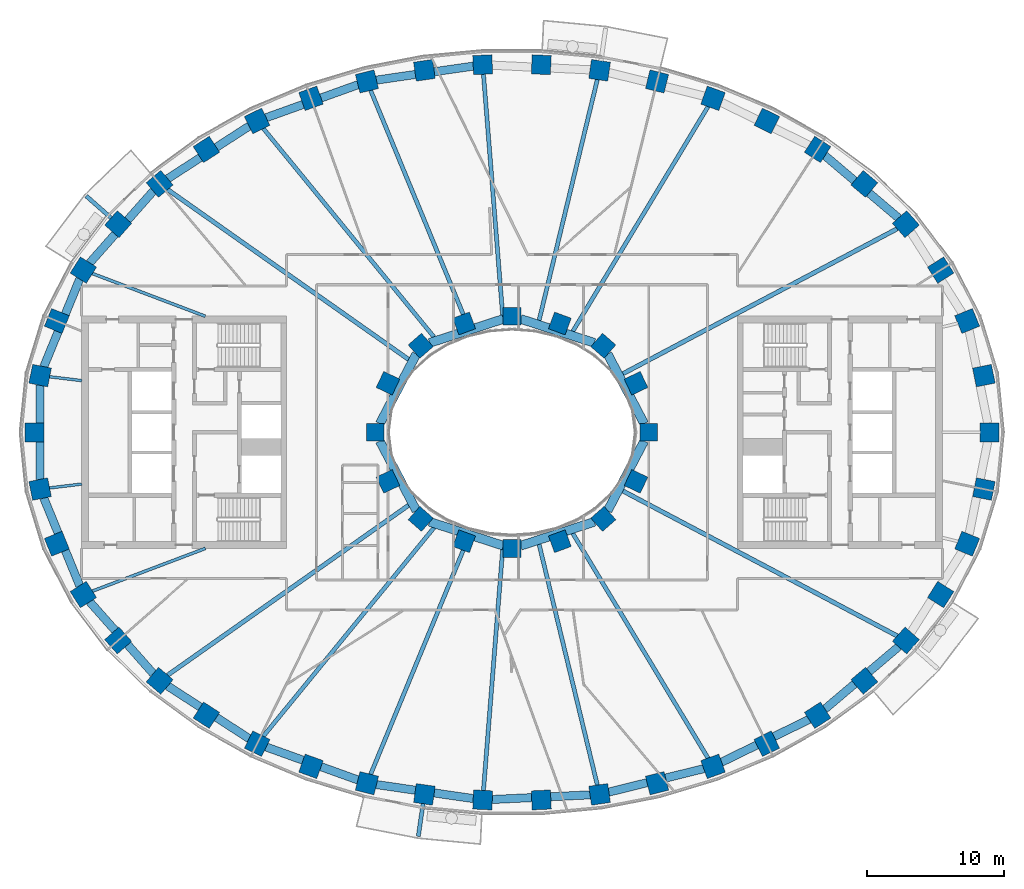
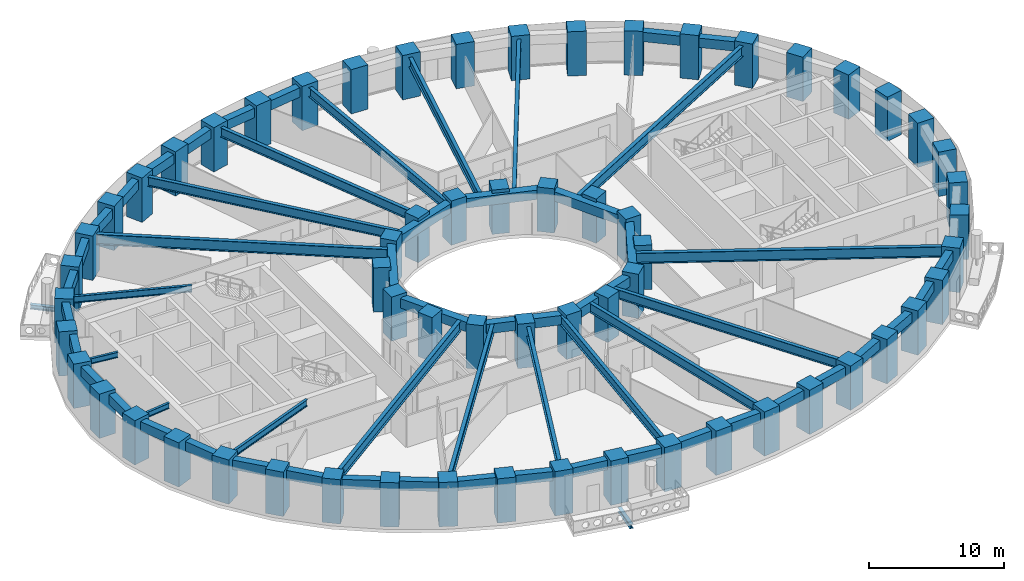
# One storey, part 1 of 16: 62 columns, 44 beams.
"""IFC4 building model written with IfcOpenShell, lengths in metres."""

from ifc_helpers import new_model, si_unit, direction, frame, origin, origin_2d, place, context, subcontext, project, spatial, rectangle, i_section, extrude, material, material_profile, profile_set, type_object, element, save


model = new_model("IFC4")

# Units and contexts
model_context = context("Model", 3, precision=1e-05, world=origin(), true_north=direction((0.0, 1.0)))
body_context = subcontext(model_context, "Body", "Model", "MODEL_VIEW")
ifc_project = project(units=[si_unit("LENGTHUNIT", "METRE"), si_unit("AREAUNIT", "SQUARE_METRE"), si_unit("VOLUMEUNIT", "CUBIC_METRE"), si_unit("PLANEANGLEUNIT", "RADIAN"), si_unit("MASSUNIT", "GRAM", prefix="KILO")], contexts=[model_context])

# Site, building, storey
site_placement = place(None, origin())
site = spatial("IfcSite", under=ifc_project, at=site_placement, CompositionType="ELEMENT")
building_placement = place(site_placement, origin())
building = spatial("IfcBuilding", under=site, at=building_placement, Name="Noorbagh Ring Tower", CompositionType="ELEMENT")
storey_placement = place(building_placement, frame((0.0, 0.0, 58.5)))
storey = spatial("IfcBuildingStorey", under=building, at=storey_placement, Name="L12", CompositionType="ELEMENT", Elevation=58.5)

# Columns
ifc_material_1 = material(Name="Concrete C70/85", Category="concrete")
ifc_material_profile_1 = material_profile(ifc_material_1, rectangle(XDim=1.39990234375, YDim=1.39990234375, at=origin_2d()), Name="RC1400x1400")
ifc_profile_set_1 = profile_set([ifc_material_profile_1], Name="Concrete C70/85")
column_type_1 = type_object("IfcColumnType", Name="STR-COL-RC1400x1400-C70-85", PredefinedType="COLUMN", material=ifc_profile_set_1)
for number, where, z_axis, x_axis, name in (
    (1, (34.944580078125, 0.0, 0.0), (0.0, 0.0, 1.0), (0.0, 1.0, 0.0), "L12/col/R1-01"),
    (2, (34.52685546875, 4.150634765625, 0.0), (0.0, 0.0, 1.0), (-0.19723040178, 0.9803571638, 0.0), "L12/col/R1-02"),
    (3, (33.30517578125, 8.1494140625, 0.0), (0.0, 0.0, 1.0), (-0.378989499959, 0.925400971969, 0.0), "L12/col/R1-03"),
    (4, (31.364990234375, 11.87109375, 0.0), (0.0, 0.0, 1.0), (-0.535190403059, 0.844731455833, 0.0), "L12/col/R1-04"),
    (5, (28.81884765625, 15.23046875, 0.0), (0.0, 0.0, 1.0), (-0.662635642662, 0.748941923699, 0.0), "L12/col/R1-05"),
    (6, (25.78271484375, 18.180419921875, 0.0), (0.0, 0.0, 1.0), (-0.763035199656, 0.646356932419, 0.0), "L12/col/R1-06"),
    (7, (22.362060546875, 20.699951171875, 0.0), (0.0, 0.0, 1.0), (-0.840247639643, 0.542202825586, 0.0), "L12/col/R1-07"),
    (8, (18.646240234375, 22.785400390625, 0.0), (0.0, 0.0, 1.0), (-0.898399080868, 0.439180021741, 0.0), "L12/col/R1-08"),
    (9, (14.70947265625, 24.44091796875, 0.0), (0.0, 0.0, 1.0), (-0.941024726094, 0.338337797003, 0.0), "L12/col/R1-09"),
    (10, (10.61328125, 25.673583984375, 0.0), (0.0, 0.0, 1.0), (-0.970829360981, 0.239771457553, 0.0), "L12/col/R1-10"),
    (11, (6.4091796875, 26.49072265625, 0.0), (0.0, 0.0, 1.0), (-0.989713114048, 0.143066249975, 0.0), "L12/col/R1-11"),
    (12, (2.14306640625, 26.89794921875, 0.0), (0.0, 0.0, 1.0), (-0.998868731212, 0.047552684538, 0.0), "L12/col/R1-12"),
    (13, (-2.14306640625, 26.89794921875, 0.0), (0.0, 0.0, 1.0), (-0.998868731212, -0.047552684538, 0.0), "L12/col/R1-13"),
    (14, (-6.4091796875, 26.49072265625, 0.0), (0.0, 0.0, 1.0), (-0.989713114048, -0.143066249975, 0.0), "L12/col/R1-14"),
    (15, (-10.61328125, 25.673583984375, 0.0), (0.0, 0.0, 1.0), (-0.970829360981, -0.239771457553, 0.0), "L12/col/R1-15"),
    (16, (-14.70947265625, 24.44091796875, 0.0), (0.0, 0.0, 1.0), (-0.941024726094, -0.338337797003, 0.0), "L12/col/R1-16"),
    (17, (-18.646240234375, 22.785400390625, 0.0), (0.0, 0.0, 1.0), (-0.898399080868, -0.439180021741, 0.0), "L12/col/R1-17"),
    (18, (-22.362060546875, 20.699951171875, 0.0), (0.0, 0.0, 1.0), (-0.840247639643, -0.542202825586, 0.0), "L12/col/R1-18"),
    (19, (-25.78271484375, 18.180419921875, 0.0), (0.0, 0.0, 1.0), (-0.763035199656, -0.646356932419, 0.0), "L12/col/R1-19"),
    (20, (-28.81884765625, 15.23046875, 0.0), (0.0, 0.0, 1.0), (-0.662635642662, -0.748941923699, 0.0), "L12/col/R1-20"),
    (21, (-31.364990234375, 11.87109375, 0.0), (0.0, 0.0, 1.0), (-0.535190403059, -0.844731455833, 0.0), "L12/col/R1-21"),
    (22, (-33.30517578125, 8.1494140625, 0.0), (0.0, 0.0, 1.0), (-0.378989499959, -0.925400971969, 0.0), "L12/col/R1-22"),
    (23, (-34.52685546875, 4.150634765625, 0.0), (0.0, 0.0, 1.0), (-0.19723040178, -0.9803571638, 0.0), "L12/col/R1-23"),
    (24, (-34.944580078125, 0.0, 0.0), (0.0, 0.0, 1.0), (0.0, -1.0, 0.0), "L12/col/R1-24"),
    (25, (-34.52685546875, -4.150634765625, 0.0), (0.0, 0.0, 1.0), (0.19723040178, -0.9803571638, 0.0), "L12/col/R1-25"),
    (26, (-33.30517578125, -8.1494140625, 0.0), (0.0, 0.0, 1.0), (0.378989499959, -0.925400971969, 0.0), "L12/col/R1-26"),
    (27, (-31.364990234375, -11.87109375, 0.0), (0.0, 0.0, 1.0), (0.535190403059, -0.844731455833, 0.0), "L12/col/R1-27"),
    (28, (-28.81884765625, -15.23046875, 0.0), (0.0, 0.0, 1.0), (0.662635642662, -0.748941923699, 0.0), "L12/col/R1-28"),
    (29, (-25.78271484375, -18.180419921875, 0.0), (0.0, 0.0, 1.0), (0.763035199656, -0.646356932419, 0.0), "L12/col/R1-29"),
    (30, (-22.362060546875, -20.699951171875, 0.0), (0.0, 0.0, 1.0), (0.840247639643, -0.542202825586, 0.0), "L12/col/R1-30"),
    (31, (-18.646240234375, -22.785400390625, 0.0), (0.0, 0.0, 1.0), (0.898399080868, -0.439180021741, 0.0), "L12/col/R1-31"),
    (32, (-14.70947265625, -24.44091796875, 0.0), (0.0, 0.0, 1.0), (0.941024726094, -0.338337797003, 0.0), "L12/col/R1-32"),
    (33, (-10.61328125, -25.673583984375, 0.0), (0.0, 0.0, 1.0), (0.970829360981, -0.239771457553, 0.0), "L12/col/R1-33"),
    (34, (-6.4091796875, -26.49072265625, 0.0), (0.0, 0.0, 1.0), (0.989713114048, -0.143066249975, 0.0), "L12/col/R1-34"),
    (35, (-2.14306640625, -26.89794921875, 0.0), (0.0, 0.0, 1.0), (0.998868731212, -0.047552684538, 0.0), "L12/col/R1-35"),
    (36, (2.14306640625, -26.89794921875, 0.0), (0.0, 0.0, 1.0), (0.998868731212, 0.047552684538, 0.0), "L12/col/R1-36"),
    (37, (6.4091796875, -26.49072265625, 0.0), (0.0, 0.0, 1.0), (0.989713114048, 0.143066249975, 0.0), "L12/col/R1-37"),
    (38, (10.61328125, -25.673583984375, 0.0), (0.0, 0.0, 1.0), (0.970829360981, 0.239771457553, 0.0), "L12/col/R1-38"),
    (39, (14.70947265625, -24.44091796875, 0.0), (0.0, 0.0, 1.0), (0.941024726094, 0.338337797003, 0.0), "L12/col/R1-39"),
    (40, (18.646240234375, -22.785400390625, 0.0), (0.0, 0.0, 1.0), (0.898399080868, 0.439180021741, 0.0), "L12/col/R1-40"),
    (41, (22.362060546875, -20.699951171875, 0.0), (0.0, 0.0, 1.0), (0.840247639643, 0.542202825586, 0.0), "L12/col/R1-41"),
    (42, (25.78271484375, -18.180419921875, 0.0), (0.0, 0.0, 1.0), (0.763035199656, 0.646356932419, 0.0), "L12/col/R1-42"),
    (43, (28.81884765625, -15.23046875, 0.0), (0.0, 0.0, 1.0), (0.662635642662, 0.748941923699, 0.0), "L12/col/R1-43"),
    (44, (31.364990234375, -11.87109375, 0.0), (0.0, 0.0, 1.0), (0.535190403059, 0.844731455833, 0.0), "L12/col/R1-44"),
    (45, (33.30517578125, -8.1494140625, 0.0), (0.0, 0.0, 1.0), (0.378989499959, 0.925400971969, 0.0), "L12/col/R1-45"),
    (46, (34.52685546875, -4.150634765625, 0.0), (0.0, 0.0, 1.0), (0.19723040178, 0.9803571638, 0.0), "L12/col/R1-46"),
):
    element("IfcColumn", number, at=place(storey_placement, frame(where, z_axis=z_axis, x_axis=x_axis)), inside=storey, type_object=column_type_1, Name=name, PredefinedType="COLUMN", context=body_context, shape_type="SweptSolid", body=[
        extrude(rectangle(XDim=1.39990234375, YDim=1.39990234375, at=origin_2d()), origin(), (0.0, 0.0, 1.0), 4.0),
    ])
ifc_material_2 = material(Name="Concrete C70/85", Category="concrete")
ifc_material_profile_2 = material_profile(ifc_material_2, rectangle(XDim=1.300048828125, YDim=1.300048828125, at=origin_2d()), Name="RC1300x1300")
ifc_profile_set_2 = profile_set([ifc_material_profile_2], Name="Concrete C70/85")
column_type_2 = type_object("IfcColumnType", Name="STR-ICOL-RC1300x1300-C70-85", PredefinedType="COLUMN", material=ifc_profile_set_2)
for number, where, z_axis, x_axis, name in (
    (47, (10.00830078125, 0.0, 0.0), (0.0, 0.0, 1.0), (0.0, 1.0, 0.0), "L12/col/IR2-W01"),
    (48, (9.07568359375, 3.58837890625, 0.0), (0.0, 0.0, 1.0), (-0.428666979171, 0.903462573087, 0.0), "L12/col/IR2-W03"),
    (49, (6.68212890625, 6.333740234375, 0.0), (0.0, 0.0, 1.0), (-0.75102249095, 0.660276622399, 0.0), "L12/col/IR2-W05"),
    (50, (3.5009765625, 7.967041015625, 0.0), (0.0, 0.0, 1.0), (-0.939019578916, 0.343863679984, 0.0), "L12/col/IR2-W07"),
    (51, (0.0, 8.5029296875, 0.0), (0.0, 0.0, 1.0), (-1.0, 0.0, 0.0), "L12/col/IR2-W09"),
    (52, (-3.5009765625, 7.967041015625, 0.0), (0.0, 0.0, 1.0), (-0.939019578916, -0.343863679984, 0.0), "L12/col/IR2-W11"),
    (53, (-6.68212890625, 6.333740234375, 0.0), (0.0, 0.0, 1.0), (-0.75102249095, -0.660276622399, 0.0), "L12/col/IR2-W13"),
    (54, (-9.07568359375, 3.58837890625, 0.0), (0.0, 0.0, 1.0), (-0.428666979171, -0.903462573087, 0.0), "L12/col/IR2-W15"),
    (55, (-10.00830078125, 0.0, 0.0), (0.0, 0.0, 1.0), (0.0, -1.0, 0.0), "L12/col/IR2-W17"),
    (56, (-9.07568359375, -3.58837890625, 0.0), (0.0, 0.0, 1.0), (0.428666979171, -0.903462573087, 0.0), "L12/col/IR2-W19"),
    (57, (-6.68212890625, -6.333740234375, 0.0), (0.0, 0.0, 1.0), (0.75102249095, -0.660276622399, 0.0), "L12/col/IR2-W21"),
    (58, (-3.5009765625, -7.967041015625, 0.0), (0.0, 0.0, 1.0), (0.939019578916, -0.343863679984, 0.0), "L12/col/IR2-W23"),
    (59, (0.0, -8.5029296875, 0.0), (0.0, 0.0, 1.0), (1.0, 0.0, 0.0), "L12/col/IR2-W25"),
    (60, (3.5009765625, -7.967041015625, 0.0), (0.0, 0.0, 1.0), (0.939019578916, 0.343863679984, 0.0), "L12/col/IR2-W27"),
    (61, (6.68212890625, -6.333740234375, 0.0), (0.0, 0.0, 1.0), (0.75102249095, 0.660276622399, 0.0), "L12/col/IR2-W29"),
    (62, (9.07568359375, -3.58837890625, 0.0), (0.0, 0.0, 1.0), (0.428666979171, 0.903462573087, 0.0), "L12/col/IR2-W31"),
):
    element("IfcColumn", number, at=place(storey_placement, frame(where, z_axis=z_axis, x_axis=x_axis)), inside=storey, type_object=column_type_2, Name=name, PredefinedType="COLUMN", context=body_context, shape_type="SweptSolid", body=[
        extrude(rectangle(XDim=1.300048828125, YDim=1.300048828125, at=origin_2d()), origin(), (0.0, 0.0, 1.0), 4.0),
    ])

# Beams
ifc_material_3 = material(Name="Steel S355", Category="steel")
ifc_material_profile_3 = material_profile(ifc_material_3, i_section(OverallWidth=0.300048828125, OverallDepth=0.39990234375, WebThickness=0.013427734375, FlangeThickness=0.02392578125, FilletRadius=0.027099609375, at=origin_2d()), Name="HEB400")
ifc_profile_set_3 = profile_set([ifc_material_profile_3], Name="Steel S355")
beam_type_1 = type_object("IfcBeamType", Name="STR-BALCONY-BRACKET-HEB400", PredefinedType="BEAM", material=ifc_profile_set_3)
beam_1_placement = place(storey_placement, frame((-29.328125, 15.680908203125, -0.5), z_axis=(-0.74904259367, 0.662521843314, 0.0), x_axis=(-0.662521843314, -0.74904259367, 0.0)))
element("IfcBeam", 63, at=beam_1_placement, inside=storey, type_object=beam_type_1, Name="Balcony bracket beam BN06", PredefinedType="BEAM", context=body_context, shape_type="SweptSolid", body=[
    extrude(i_section(OverallWidth=0.300048828125, OverallDepth=0.39990234375, WebThickness=0.013427734375, FlangeThickness=0.02392578125, FilletRadius=0.027099609375, at=origin_2d()), origin(), (0.0, 0.0, 1.0), 2.429443359375),
])
beam_2_placement = place(storey_placement, frame((-6.506591796875, -27.163818359375, -0.5), z_axis=(-0.143028732143, -0.989718536646, 0.0), x_axis=(0.989718536646, -0.143028732143, 0.0)))
element("IfcBeam", 64, at=beam_2_placement, inside=storey, type_object=beam_type_1, Name="Balcony bracket beam BS03", PredefinedType="BEAM", context=body_context, shape_type="SweptSolid", body=[
    extrude(i_section(OverallWidth=0.300048828125, OverallDepth=0.39990234375, WebThickness=0.013427734375, FlangeThickness=0.02392578125, FilletRadius=0.027099609375, at=origin_2d()), origin(), (0.0, 0.0, 1.0), 2.423828125),
])
ifc_material_4 = material(Name="Steel S355", Category="steel")
ifc_material_profile_4 = material_profile(ifc_material_4, i_section(OverallWidth=0.199951171875, OverallDepth=0.5, WebThickness=0.01025390625, FlangeThickness=0.01611328125, FilletRadius=0.02099609375, at=origin_2d()), Name="IPE500")
ifc_profile_set_4 = profile_set([ifc_material_profile_4], Name="Steel S355")
beam_type_2 = type_object("IfcBeamType", Name="STR-RAD-IPE500", PredefinedType="BEAM", material=ifc_profile_set_4)
for number, where, z_axis, x_axis, name in (
    (65, (-33.849365234375, 4.0693359375, 3.449951171875), (0.992846305677, -0.119399385689, 0.0), (0.119399385689, 0.992846305677, 0.0), "L12/bm/RD23"),
    (66, (-33.849365234375, -4.0693359375, 3.449951171875), (0.992846305677, 0.119399385689, 0.0), (-0.119399385689, 0.992846305677, 0.0), "L12/bm/RD25"),
):
    element("IfcBeam", number, at=place(storey_placement, frame(where, z_axis=z_axis, x_axis=x_axis)), inside=storey, type_object=beam_type_2, Name=name, PredefinedType="BEAM", context=body_context, shape_type="SweptSolid", body=[
        extrude(i_section(OverallWidth=0.199951171875, OverallDepth=0.5, WebThickness=0.01025390625, FlangeThickness=0.01611328125, FilletRadius=0.02099609375, at=origin_2d()), origin(), (0.0, 0.0, 1.0), 2.38623046875),
    ])
ifc_material_5 = material(Name="Steel S355", Category="steel")
ifc_material_profile_5 = material_profile(ifc_material_5, i_section(OverallWidth=0.219970703125, OverallDepth=0.60009765625, WebThickness=0.011962890625, FlangeThickness=0.01904296875, FilletRadius=0.02392578125, at=origin_2d()), Name="IPE600")
ifc_profile_set_5 = profile_set([ifc_material_profile_5], Name="Steel S355")
beam_type_3 = type_object("IfcBeamType", Name="STR-RAD-IPE600", PredefinedType="BEAM", material=ifc_profile_set_5)
for number, where, z_axis, x_axis, name in (
    (67, (-30.71533203125, 11.625, 3.39990234375), (0.935257869922, -0.353967112524, 0.0), (0.353967112524, 0.935257869922, 0.0), "L12/bm/RD21"),
    (68, (-30.71533203125, -11.625, 3.39990234375), (0.935257869922, 0.353967112524, 0.0), (-0.353967112524, 0.935257869922, 0.0), "L12/bm/RD27"),
):
    element("IfcBeam", number, at=place(storey_placement, frame(where, z_axis=z_axis, x_axis=x_axis)), inside=storey, type_object=beam_type_3, Name=name, PredefinedType="BEAM", context=body_context, shape_type="SweptSolid", body=[
        extrude(i_section(OverallWidth=0.219970703125, OverallDepth=0.60009765625, WebThickness=0.011962890625, FlangeThickness=0.01904296875, FilletRadius=0.02392578125, at=origin_2d()), origin(), (0.0, 0.0, 1.0), 8.848388671875),
    ])
ifc_material_6 = material(Name="Steel S355", Category="steel")
ifc_material_profile_6 = material_profile(ifc_material_6, i_section(OverallWidth=0.300048828125, OverallDepth=0.85009765625, WebThickness=0.013916015625, FlangeThickness=0.028076171875, at=origin_2d()), Name="PG850x300x14x28")
ifc_profile_set_6 = profile_set([ifc_material_profile_6], Name="Steel S355")
beam_type_4 = type_object("IfcBeamType", Name="STR-RAD-PG850x300x14x28", PredefinedType="BEAM", material=ifc_profile_set_6)
beam_3_placement = place(storey_placement, frame((14.351806640625, 23.846435546875, 3.27490234375), z_axis=(-0.515659258166, -0.856793749667, 0.0), x_axis=(0.856793749667, -0.515659258166, 0.0)))
element("IfcBeam", 69, at=beam_3_placement, inside=storey, type_object=beam_type_4, Name="L12/bm/RD09", PredefinedType="BEAM", context=body_context, shape_type="SweptSolid", body=[
    extrude(i_section(OverallWidth=0.300048828125, OverallDepth=0.85009765625, WebThickness=0.013916015625, FlangeThickness=0.028076171875, at=origin_2d()), origin(), (0.0, 0.0, 1.0), 19.216552734375),
])
beam_4_placement = place(storey_placement, frame((6.24853515625, 25.826904296875, 3.27490234375), z_axis=(-0.235159307557, -0.971956840641, 0.0), x_axis=(0.971956840641, -0.235159307557, 0.0)))
element("IfcBeam", 70, at=beam_4_placement, inside=storey, type_object=beam_type_4, Name="L12/bm/RD11", PredefinedType="BEAM", context=body_context, shape_type="SweptSolid", body=[
    extrude(i_section(OverallWidth=0.300048828125, OverallDepth=0.85009765625, WebThickness=0.013916015625, FlangeThickness=0.028076171875, at=origin_2d()), origin(), (0.0, 0.0, 1.0), 18.15478515625),
])
beam_5_placement = place(storey_placement, frame((-2.089111328125, 26.2197265625, 3.27490234375), z_axis=(0.079423302335, -0.996840979819, 0.0), x_axis=(0.996840979819, 0.079423302335, 0.0)))
element("IfcBeam", 71, at=beam_5_placement, inside=storey, type_object=beam_type_4, Name="L12/bm/RD13", PredefinedType="BEAM", context=body_context, shape_type="SweptSolid", body=[
    extrude(i_section(OverallWidth=0.300048828125, OverallDepth=0.85009765625, WebThickness=0.013916015625, FlangeThickness=0.028076171875, at=origin_2d()), origin(), (0.0, 0.0, 1.0), 17.874755859375),
])
beam_6_placement = place(storey_placement, frame((-10.350341796875, 25.037841796875, 3.27490234375), z_axis=(0.382027684337, -0.924150879673, 0.0), x_axis=(0.924150879673, 0.382027684337, 0.0)))
element("IfcBeam", 72, at=beam_6_placement, inside=storey, type_object=beam_type_4, Name="L12/bm/RD15", PredefinedType="BEAM", context=body_context, shape_type="SweptSolid", body=[
    extrude(i_section(OverallWidth=0.300048828125, OverallDepth=0.85009765625, WebThickness=0.013916015625, FlangeThickness=0.028076171875, at=origin_2d()), origin(), (0.0, 0.0, 1.0), 18.6748046875),
])
for number, where, z_axis, x_axis, name in (
    (73, (-18.20361328125, 22.244384765625, 3.27490234375), (0.633313916814, -0.773895007588, 0.0), (0.773895007588, 0.633313916814, 0.0), "L12/bm/RD17"),
    (74, (-18.20361328125, -22.244384765625, 3.27490234375), (0.633313916814, 0.773895007588, 0.0), (-0.773895007588, 0.633313916814, 0.0), "L12/bm/RD31"),
):
    element("IfcBeam", number, at=place(storey_placement, frame(where, z_axis=z_axis, x_axis=x_axis)), inside=storey, type_object=beam_type_4, Name=name, PredefinedType="BEAM", context=body_context, shape_type="SweptSolid", body=[
        extrude(i_section(OverallWidth=0.300048828125, OverallDepth=0.85009765625, WebThickness=0.013916015625, FlangeThickness=0.028076171875, at=origin_2d()), origin(), (0.0, 0.0, 1.0), 19.733642578125),
    ])
beam_7_placement = place(storey_placement, frame((-10.350341796875, -25.037841796875, 3.27490234375), z_axis=(0.382027684337, 0.924150879673, 0.0), x_axis=(-0.924150879673, 0.382027684337, 0.0)))
element("IfcBeam", 75, at=beam_7_placement, inside=storey, type_object=beam_type_4, Name="L12/bm/RD33", PredefinedType="BEAM", context=body_context, shape_type="SweptSolid", body=[
    extrude(i_section(OverallWidth=0.300048828125, OverallDepth=0.85009765625, WebThickness=0.013916015625, FlangeThickness=0.028076171875, at=origin_2d()), origin(), (0.0, 0.0, 1.0), 18.6748046875),
])
beam_8_placement = place(storey_placement, frame((-2.089111328125, -26.2197265625, 3.27490234375), z_axis=(0.079423302335, 0.996840979819, 0.0), x_axis=(-0.996840979819, 0.079423302335, 0.0)))
element("IfcBeam", 76, at=beam_8_placement, inside=storey, type_object=beam_type_4, Name="L12/bm/RD35", PredefinedType="BEAM", context=body_context, shape_type="SweptSolid", body=[
    extrude(i_section(OverallWidth=0.300048828125, OverallDepth=0.85009765625, WebThickness=0.013916015625, FlangeThickness=0.028076171875, at=origin_2d()), origin(), (0.0, 0.0, 1.0), 17.874755859375),
])
beam_9_placement = place(storey_placement, frame((6.24853515625, -25.826904296875, 3.27490234375), z_axis=(-0.235159307557, 0.971956840641, 0.0), x_axis=(-0.971956840641, -0.235159307557, 0.0)))
element("IfcBeam", 77, at=beam_9_placement, inside=storey, type_object=beam_type_4, Name="L12/bm/RD37", PredefinedType="BEAM", context=body_context, shape_type="SweptSolid", body=[
    extrude(i_section(OverallWidth=0.300048828125, OverallDepth=0.85009765625, WebThickness=0.013916015625, FlangeThickness=0.028076171875, at=origin_2d()), origin(), (0.0, 0.0, 1.0), 18.15478515625),
])
beam_10_placement = place(storey_placement, frame((14.351806640625, -23.846435546875, 3.27490234375), z_axis=(-0.515659258166, 0.856793749667, 0.0), x_axis=(-0.856793749667, -0.515659258166, 0.0)))
element("IfcBeam", 78, at=beam_10_placement, inside=storey, type_object=beam_type_4, Name="L12/bm/RD39", PredefinedType="BEAM", context=body_context, shape_type="SweptSolid", body=[
    extrude(i_section(OverallWidth=0.300048828125, OverallDepth=0.85009765625, WebThickness=0.013916015625, FlangeThickness=0.028076171875, at=origin_2d()), origin(), (0.0, 0.0, 1.0), 19.216552734375),
])
ifc_material_7 = material(Name="Steel S355", Category="steel")
ifc_material_profile_7 = material_profile(ifc_material_7, i_section(OverallWidth=0.320068359375, OverallDepth=0.949951171875, WebThickness=0.01611328125, FlangeThickness=0.030029296875, at=origin_2d()), Name="PG950x320x16x30")
ifc_profile_set_7 = profile_set([ifc_material_profile_7], Name="Steel S355")
beam_type_5 = type_object("IfcBeamType", Name="STR-RAD-PG950x320x16x30", PredefinedType="BEAM", material=ifc_profile_set_7)
beam_11_placement = place(storey_placement, frame((28.19970703125, 14.9033203125, 3.22509765625), z_axis=(-0.884122895435, -0.467254433652, 0.0), x_axis=(0.467254433652, -0.884122895435, 0.0)))
element("IfcBeam", 79, at=beam_11_placement, inside=storey, type_object=beam_type_5, Name="L12/bm/RD05", PredefinedType="BEAM", context=body_context, shape_type="SweptSolid", body=[
    extrude(i_section(OverallWidth=0.320068359375, OverallDepth=0.949951171875, WebThickness=0.01611328125, FlangeThickness=0.030029296875, at=origin_2d()), origin(), (0.0, 0.0, 1.0), 22.729736328125),
])
for number, where, z_axis, x_axis, name in (
    (80, (-25.2080078125, 17.775146484375, 3.22509765625), (0.817254380301, -0.576277084291, 0.0), (0.576277084291, 0.817254380301, 0.0), "L12/bm/RD19"),
    (81, (-25.2080078125, -17.775146484375, 3.22509765625), (0.817254380301, 0.576277084291, 0.0), (-0.576277084291, 0.817254380301, 0.0), "L12/bm/RD29"),
):
    element("IfcBeam", number, at=place(storey_placement, frame(where, z_axis=z_axis, x_axis=x_axis)), inside=storey, type_object=beam_type_5, Name=name, PredefinedType="BEAM", context=body_context, shape_type="SweptSolid", body=[
        extrude(i_section(OverallWidth=0.320068359375, OverallDepth=0.949951171875, WebThickness=0.01611328125, FlangeThickness=0.030029296875, at=origin_2d()), origin(), (0.0, 0.0, 1.0), 21.599853515625),
    ])
beam_12_placement = place(storey_placement, frame((28.19970703125, -14.9033203125, 3.22509765625), z_axis=(-0.884122895435, 0.467254433652, 0.0), x_axis=(-0.467254433652, -0.884122895435, 0.0)))
element("IfcBeam", 82, at=beam_12_placement, inside=storey, type_object=beam_type_5, Name="L12/bm/RD43", PredefinedType="BEAM", context=body_context, shape_type="SweptSolid", body=[
    extrude(i_section(OverallWidth=0.320068359375, OverallDepth=0.949951171875, WebThickness=0.01611328125, FlangeThickness=0.030029296875, at=origin_2d()), origin(), (0.0, 0.0, 1.0), 22.729736328125),
])
ifc_material_8 = material(Name="Concrete C40/50", Category="concrete")
ifc_material_profile_8 = material_profile(ifc_material_8, rectangle(XDim=0.64990234375, YDim=0.85009765625, at=origin_2d()), Name="RC650x850")
ifc_profile_set_8 = profile_set([ifc_material_profile_8], Name="Concrete C40/50")
beam_type_6 = type_object("IfcBeamType", Name="STR-RB-RC650x850-C40-50", PredefinedType="BEAM", material=ifc_profile_set_8)
beam_13_placement = place(storey_placement, frame((9.67626953125, 0.63232421875, 3.27490234375), z_axis=(-0.464932685401, 0.885346032942, 0.0), x_axis=(-0.885346032942, -0.464932685401, 0.0)))
element("IfcBeam", 83, at=beam_13_placement, inside=storey, type_object=beam_type_6, Name="L12/bm/RG01", PredefinedType="BEAM", context=body_context, shape_type="SweptSolid", body=[
    extrude(rectangle(XDim=0.64990234375, YDim=0.85009765625, at=origin_2d()), origin(), (0.0, 0.0, 1.0), 5.763671875),
])
for number, where, z_axis, x_axis, name in (
    (84, (6.02783203125, 6.546142578125, 3.27490234375), (-0.95114088461, 0.308757214691, 0.0), (-0.308757214691, -0.95114088461, 0.0), "L12/bm/RG03"),
    (85, (-0.630859375, 8.298095703125, 3.27490234375), (-0.95114088461, -0.308757214691, 0.0), (0.308757214691, -0.95114088461, 0.0), "L12/bm/RG05"),
):
    element("IfcBeam", number, at=place(storey_placement, frame(where, z_axis=z_axis, x_axis=x_axis)), inside=storey, type_object=beam_type_6, Name=name, PredefinedType="BEAM", context=body_context, shape_type="SweptSolid", body=[
        extrude(rectangle(XDim=0.64990234375, YDim=0.85009765625, at=origin_2d()), origin(), (0.0, 0.0, 1.0), 5.67431640625),
    ])
for number, where, z_axis, x_axis, name in (
    (86, (-6.99658203125, 5.735107421875, 3.27490234375), (-0.464932685401, -0.885346032942, 0.0), (0.885346032942, -0.464932685401, 0.0), "L12/bm/RG07"),
    (87, (-9.67626953125, -0.63232421875, 3.27490234375), (0.464932685401, -0.885346032942, 0.0), (0.885346032942, 0.464932685401, 0.0), "L12/bm/RG09"),
):
    element("IfcBeam", number, at=place(storey_placement, frame(where, z_axis=z_axis, x_axis=x_axis)), inside=storey, type_object=beam_type_6, Name=name, PredefinedType="BEAM", context=body_context, shape_type="SweptSolid", body=[
        extrude(rectangle(XDim=0.64990234375, YDim=0.85009765625, at=origin_2d()), origin(), (0.0, 0.0, 1.0), 5.763671875),
    ])
for number, where, z_axis, x_axis, name in (
    (88, (-6.02783203125, -6.546142578125, 3.27490234375), (0.95114088461, -0.308757214691, 0.0), (0.308757214691, 0.95114088461, 0.0), "L12/bm/RG11"),
    (89, (0.630859375, -8.298095703125, 3.27490234375), (0.95114088461, 0.308757214691, 0.0), (-0.308757214691, 0.95114088461, 0.0), "L12/bm/RG13"),
):
    element("IfcBeam", number, at=place(storey_placement, frame(where, z_axis=z_axis, x_axis=x_axis)), inside=storey, type_object=beam_type_6, Name=name, PredefinedType="BEAM", context=body_context, shape_type="SweptSolid", body=[
        extrude(rectangle(XDim=0.64990234375, YDim=0.85009765625, at=origin_2d()), origin(), (0.0, 0.0, 1.0), 5.67431640625),
    ])
beam_14_placement = place(storey_placement, frame((6.99658203125, -5.735107421875, 3.27490234375), z_axis=(0.464932685401, 0.885346032942, 0.0), x_axis=(-0.885346032942, 0.464932685401, 0.0)))
element("IfcBeam", 90, at=beam_14_placement, inside=storey, type_object=beam_type_6, Name="L12/bm/RG15", PredefinedType="BEAM", context=body_context, shape_type="SweptSolid", body=[
    extrude(rectangle(XDim=0.64990234375, YDim=0.85009765625, at=origin_2d()), origin(), (0.0, 0.0, 1.0), 5.763671875),
])
ifc_material_9 = material(Name="Concrete C40/50", Category="concrete")
ifc_material_profile_9 = material_profile(ifc_material_9, rectangle(XDim=0.60009765625, YDim=0.85009765625, at=origin_2d()), Name="RC600x850")
ifc_profile_set_9 = profile_set([ifc_material_profile_9], Name="Concrete C40/50")
beam_type_7 = type_object("IfcBeamType", Name="STR-SB-RC600x850-C40-50", PredefinedType="BEAM", material=ifc_profile_set_9)
beam_15_placement = place(storey_placement, frame((28.29443359375, 15.6748046875, 3.27490234375), z_axis=(-0.763038677853, 0.646352826327, 0.0), x_axis=(-0.646352826327, -0.763038677853, 0.0)))
element("IfcBeam", 91, at=beam_15_placement, inside=storey, type_object=beam_type_7, Name="L12/bm/SP05", PredefinedType="BEAM", context=body_context, shape_type="SweptSolid", body=[
    extrude(rectangle(XDim=0.60009765625, YDim=0.85009765625, at=origin_2d()), origin(), (0.0, 0.0, 1.0), 7.088623046875),
])
beam_16_placement = place(storey_placement, frame((-2.8193359375, 26.80029296875, 3.27490234375), z_axis=(-0.989713887857, -0.143060896766, 0.0), x_axis=(0.143060896766, -0.989713887857, 0.0)))
element("IfcBeam", 92, at=beam_16_placement, inside=storey, type_object=beam_type_7, Name="L12/bm/SP13", PredefinedType="BEAM", context=body_context, shape_type="SweptSolid", body=[
    extrude(rectangle(XDim=0.60009765625, YDim=0.85009765625, at=origin_2d()), origin(), (0.0, 0.0, 1.0), 7.19140625),
])
beam_17_placement = place(storey_placement, frame((-11.256591796875, 25.4423828125, 3.27490234375), z_axis=(-0.941019322025, -0.338352827054, 0.0), x_axis=(0.338352827054, -0.941019322025, 0.0)))
element("IfcBeam", 93, at=beam_17_placement, inside=storey, type_object=beam_type_7, Name="L12/bm/SP15", PredefinedType="BEAM", context=body_context, shape_type="SweptSolid", body=[
    extrude(rectangle(XDim=0.60009765625, YDim=0.85009765625, at=origin_2d()), origin(), (0.0, 0.0, 1.0), 7.168701171875),
])
beam_18_placement = place(storey_placement, frame((-19.2216796875, 22.4140625, 3.27490234375), z_axis=(-0.840247280939, -0.542203381467, 0.0), x_axis=(0.542203381467, -0.840247280939, 0.0)))
element("IfcBeam", 94, at=beam_18_placement, inside=storey, type_object=beam_type_7, Name="L12/bm/SP17", PredefinedType="BEAM", context=body_context, shape_type="SweptSolid", body=[
    extrude(rectangle(XDim=0.60009765625, YDim=0.85009765625, at=origin_2d()), origin(), (0.0, 0.0, 1.0), 7.12255859375),
])
beam_19_placement = place(storey_placement, frame((-26.238037109375, 17.66552734375, 3.27490234375), z_axis=(-0.66264637691, -0.748932426303, 0.0), x_axis=(0.748932426303, -0.66264637691, 0.0)))
element("IfcBeam", 95, at=beam_19_placement, inside=storey, type_object=beam_type_7, Name="L12/bm/SP19", PredefinedType="BEAM", context=body_context, shape_type="SweptSolid", body=[
    extrude(rectangle(XDim=0.60009765625, YDim=0.85009765625, at=origin_2d()), origin(), (0.0, 0.0, 1.0), 7.048095703125),
])
beam_20_placement = place(storey_placement, frame((-31.626953125, 11.2314453125, 3.27490234375), z_axis=(-0.378975710003, -0.925406619399, 0.0), x_axis=(0.925406619399, -0.378975710003, 0.0)))
element("IfcBeam", 96, at=beam_20_placement, inside=storey, type_object=beam_type_7, Name="L12/bm/SP21", PredefinedType="BEAM", context=body_context, shape_type="SweptSolid", body=[
    extrude(rectangle(XDim=0.60009765625, YDim=0.85009765625, at=origin_2d()), origin(), (0.0, 0.0, 1.0), 6.958740234375),
])
beam_21_placement = place(storey_placement, frame((-34.52685546875, 3.45654296875, 3.27490234375), z_axis=(0.0, -1.0, 0.0), x_axis=(1.0, 0.0, 0.0)))
element("IfcBeam", 97, at=beam_21_placement, inside=storey, type_object=beam_type_7, Name="L12/bm/SP23", PredefinedType="BEAM", context=body_context, shape_type="SweptSolid", body=[
    extrude(rectangle(XDim=0.60009765625, YDim=0.85009765625, at=origin_2d()), origin(), (0.0, 0.0, 1.0), 6.9130859375),
])
beam_22_placement = place(storey_placement, frame((-34.26416015625, -4.791748046875, 3.27490234375), z_axis=(0.378975710003, -0.925406619399, 0.0), x_axis=(0.925406619399, 0.378975710003, 0.0)))
element("IfcBeam", 98, at=beam_22_placement, inside=storey, type_object=beam_type_7, Name="L12/bm/SP25", PredefinedType="BEAM", context=body_context, shape_type="SweptSolid", body=[
    extrude(rectangle(XDim=0.60009765625, YDim=0.85009765625, at=origin_2d()), origin(), (0.0, 0.0, 1.0), 6.958740234375),
])
beam_23_placement = place(storey_placement, frame((-30.908447265625, -12.386962890625, 3.27490234375), z_axis=(0.66264637691, -0.748932426303, 0.0), x_axis=(0.748932426303, 0.66264637691, 0.0)))
element("IfcBeam", 99, at=beam_23_placement, inside=storey, type_object=beam_type_7, Name="L12/bm/SP27", PredefinedType="BEAM", context=body_context, shape_type="SweptSolid", body=[
    extrude(rectangle(XDim=0.60009765625, YDim=0.85009765625, at=origin_2d()), origin(), (0.0, 0.0, 1.0), 7.048095703125),
])
beam_24_placement = place(storey_placement, frame((-25.206298828125, -18.55224609375, 3.27490234375), z_axis=(0.840247280939, -0.542203381467, 0.0), x_axis=(0.542203381467, 0.840247280939, 0.0)))
element("IfcBeam", 100, at=beam_24_placement, inside=storey, type_object=beam_type_7, Name="L12/bm/SP29", PredefinedType="BEAM", context=body_context, shape_type="SweptSolid", body=[
    extrude(rectangle(XDim=0.60009765625, YDim=0.85009765625, at=origin_2d()), origin(), (0.0, 0.0, 1.0), 7.12255859375),
])
beam_25_placement = place(storey_placement, frame((-18.00244140625, -23.016845703125, 3.27490234375), z_axis=(0.941019322025, -0.338352827054, 0.0), x_axis=(0.338352827054, 0.941019322025, 0.0)))
element("IfcBeam", 101, at=beam_25_placement, inside=storey, type_object=beam_type_7, Name="L12/bm/SP31", PredefinedType="BEAM", context=body_context, shape_type="SweptSolid", body=[
    extrude(rectangle(XDim=0.60009765625, YDim=0.85009765625, at=origin_2d()), origin(), (0.0, 0.0, 1.0), 7.168701171875),
])
beam_26_placement = place(storey_placement, frame((-9.936767578125, -25.771484375, 3.27490234375), z_axis=(0.989713887857, -0.143060896766, 0.0), x_axis=(0.143060896766, 0.989713887857, 0.0)))
element("IfcBeam", 102, at=beam_26_placement, inside=storey, type_object=beam_type_7, Name="L12/bm/SP33", PredefinedType="BEAM", context=body_context, shape_type="SweptSolid", body=[
    extrude(rectangle(XDim=0.60009765625, YDim=0.85009765625, at=origin_2d()), origin(), (0.0, 0.0, 1.0), 7.19140625),
])
beam_27_placement = place(storey_placement, frame((-1.460693359375, -26.865478515625, 3.27490234375), z_axis=(0.998869595741, 0.047534521183, 0.0), x_axis=(-0.047534521183, 0.998869595741, 0.0)))
element("IfcBeam", 103, at=beam_27_placement, inside=storey, type_object=beam_type_7, Name="L12/bm/SP35", PredefinedType="BEAM", context=body_context, shape_type="SweptSolid", body=[
    extrude(rectangle(XDim=0.60009765625, YDim=0.85009765625, at=origin_2d()), origin(), (0.0, 0.0, 1.0), 7.195556640625),
])
beam_28_placement = place(storey_placement, frame((7.07275390625, -26.326904296875, 3.27490234375), z_axis=(0.970828401591, 0.239775342069, 0.0), x_axis=(-0.239775342069, 0.970828401591, 0.0)))
element("IfcBeam", 104, at=beam_28_placement, inside=storey, type_object=beam_type_7, Name="L12/bm/SP37", PredefinedType="BEAM", context=body_context, shape_type="SweptSolid", body=[
    extrude(rectangle(XDim=0.60009765625, YDim=0.85009765625, at=origin_2d()), origin(), (0.0, 0.0, 1.0), 7.182373046875),
])
beam_29_placement = place(storey_placement, frame((15.32421875, -24.140380859375, 3.27490234375), z_axis=(0.898400530475, 0.43917705637, 0.0), x_axis=(-0.43917705637, 0.898400530475, 0.0)))
element("IfcBeam", 105, at=beam_29_placement, inside=storey, type_object=beam_type_7, Name="L12/bm/SP39", PredefinedType="BEAM", context=body_context, shape_type="SweptSolid", body=[
    extrude(rectangle(XDim=0.60009765625, YDim=0.85009765625, at=origin_2d()), origin(), (0.0, 0.0, 1.0), 7.14892578125),
])
beam_30_placement = place(storey_placement, frame((22.885498046875, -20.256591796875, 3.27490234375), z_axis=(0.763038677853, 0.646352826327, 0.0), x_axis=(-0.646352826327, 0.763038677853, 0.0)))
element("IfcBeam", 106, at=beam_30_placement, inside=storey, type_object=beam_type_7, Name="L12/bm/SP41", PredefinedType="BEAM", context=body_context, shape_type="SweptSolid", body=[
    extrude(rectangle(XDim=0.60009765625, YDim=0.85009765625, at=origin_2d()), origin(), (0.0, 0.0, 1.0), 7.088623046875),
])

save(model, "model.ifc")
